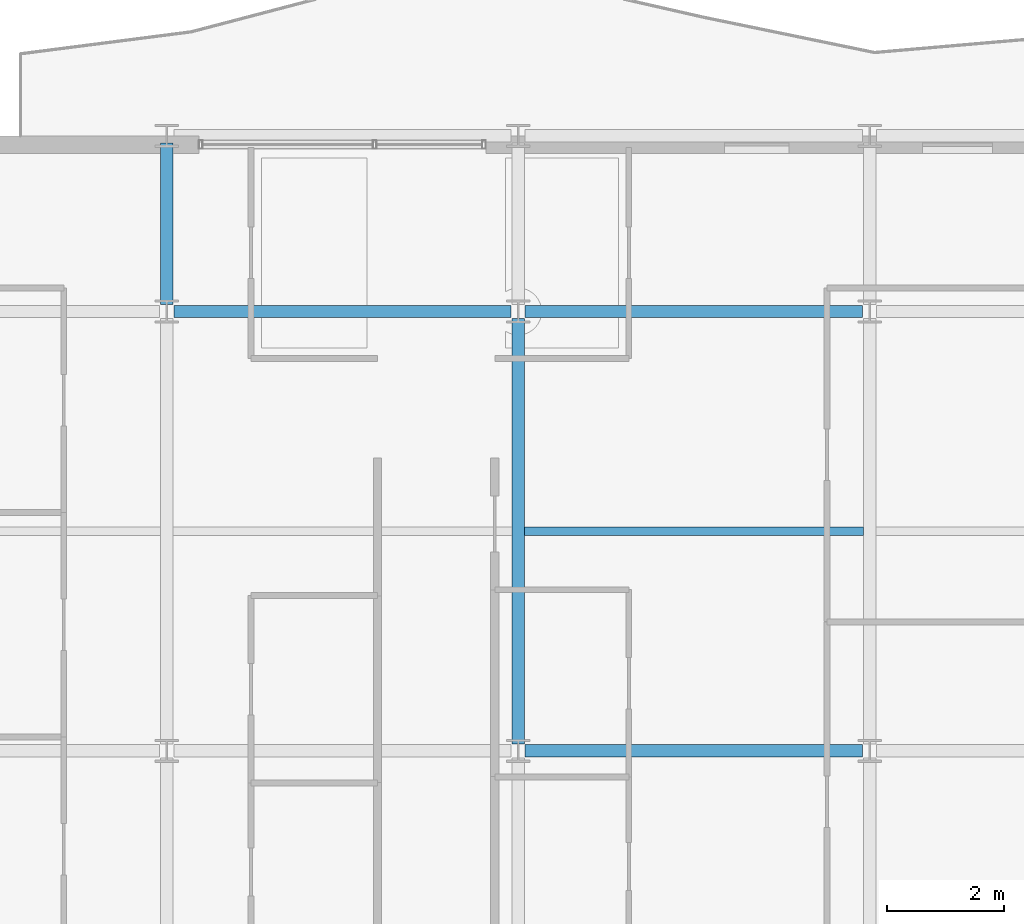
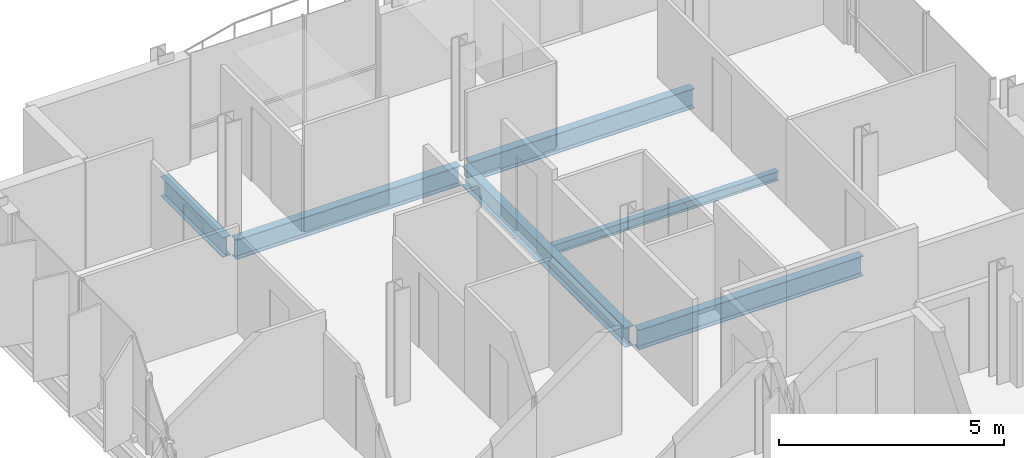
# One storey, part 6 of 28: 6 beams.
"""IFC4 building model written with IfcOpenShell, lengths in metres."""

from ifc_helpers import new_model, si_unit, direction, frame, origin, origin_2d, place, context, subcontext, project, spatial, i_section, extrude, material, material_profile, profile_set, type_object, element, save


model = new_model("IFC4")

# Units and contexts
model_context = context("Model", 3, precision=1e-05, world=origin(), true_north=direction((0.0, 1.0)))
body_context = subcontext(model_context, "Body", "Model", "MODEL_VIEW")
ifc_project = project(units=[si_unit("LENGTHUNIT", "METRE"), si_unit("AREAUNIT", "SQUARE_METRE"), si_unit("VOLUMEUNIT", "CUBIC_METRE"), si_unit("PLANEANGLEUNIT", "RADIAN"), si_unit("MASSUNIT", "GRAM", prefix="KILO")], contexts=[model_context])

# Site, building, storey
site_placement = place(None, origin())
site = spatial("IfcSite", under=ifc_project, at=site_placement, CompositionType="ELEMENT")
building_placement = place(site_placement, origin())
building = spatial("IfcBuilding", under=site, at=building_placement, Name="Brevholm Reach", CompositionType="ELEMENT")
storey_placement = place(building_placement, frame((0.0, 0.0, 192.5)))
storey = spatial("IfcBuildingStorey", under=building, at=storey_placement, Name="L58", CompositionType="ELEMENT", Elevation=192.5)

# Beams
ifc_material_1 = material(Name="Structural Steel S355J2", Category="steel")
ifc_material_profile_1 = material_profile(ifc_material_1, i_section(OverallWidth=0.14599609375, OverallDepth=0.25146484375, WebThickness=0.006103515625, FlangeThickness=0.008544921875, FilletRadius=0.007568359375, at=origin_2d()), Name="UKB 254x146x31")
ifc_profile_set_1 = profile_set([ifc_material_profile_1], Name="Structural Steel S355J2")
beam_type_1 = type_object("IfcBeamType", Name="BM-B254", PredefinedType="BEAM", material=ifc_profile_set_1)
beam_1_placement = place(storey_placement, frame((12.10546875, 19.75, -0.335693359375), z_axis=(1.0, 0.0, 0.0), x_axis=(0.0, 1.0, 0.0)))
element("IfcBeam", 1, at=beam_1_placement, inside=storey, type_object=beam_type_1, Name="L58 Composite Secondary Floor Beam", PredefinedType="BEAM", context=body_context, shape_type="SweptSolid", body=[
    extrude(i_section(OverallWidth=0.14599609375, OverallDepth=0.25146484375, WebThickness=0.006103515625, FlangeThickness=0.008544921875, FilletRadius=0.007568359375, at=origin_2d()), origin(), (0.0, 0.0, 1.0), 5.7890625),
])
ifc_material_2 = material(Name="Structural Steel S355J2", Category="steel")
ifc_material_profile_2 = material_profile(ifc_material_2, i_section(OverallWidth=0.210693359375, OverallDepth=0.53955078125, WebThickness=0.01171875, FlangeThickness=0.018798828125, FilletRadius=0.0126953125, at=origin_2d()), Name="UKB 533x210x109")
ifc_profile_set_2 = profile_set([ifc_material_profile_2], Name="Structural Steel S355J2")
beam_type_2 = type_object("IfcBeamType", Name="BM-SP539", PredefinedType="SPANDREL", material=ifc_profile_set_2)
for number, where, z_axis, x_axis, name in (
    (2, (12.1201171875, 16.0, -0.479736328125), (1.0, 0.0, 0.0), (0.0, 1.0, 0.0), "L58 SP-01B Framing Beam"),
    (3, (6.1201171875, 23.5, -0.479736328125), (1.0, 0.0, 0.0), (0.0, 1.0, 0.0), "L58 SP-01B Framing Beam"),
    (4, (12.1201171875, 23.5, -0.479736328125), (1.0, 0.0, 0.0), (0.0, 1.0, 0.0), "L58 SP-01B Framing Beam"),
):
    element("IfcBeam", number, at=place(storey_placement, frame(where, z_axis=z_axis, x_axis=x_axis)), inside=storey, type_object=beam_type_2, Name=name, PredefinedType="SPANDREL", context=body_context, shape_type="SweptSolid", body=[
        extrude(i_section(OverallWidth=0.210693359375, OverallDepth=0.53955078125, WebThickness=0.01171875, FlangeThickness=0.018798828125, FilletRadius=0.0126953125, at=origin_2d()), origin(), (0.0, 0.0, 1.0), 5.759765625),
    ])
beam_2_placement = place(storey_placement, frame((6.0, 23.6201171875, -0.479736328125), z_axis=(0.0, 1.0, 0.0), x_axis=(-1.0, 0.0, 0.0)))
element("IfcBeam", 5, at=beam_2_placement, inside=storey, type_object=beam_type_2, Name="L58 SP-01B Framing Beam", PredefinedType="SPANDREL", context=body_context, shape_type="SweptSolid", body=[
    extrude(i_section(OverallWidth=0.210693359375, OverallDepth=0.53955078125, WebThickness=0.01171875, FlangeThickness=0.018798828125, FilletRadius=0.0126953125, at=origin_2d()), origin(), (0.0, 0.0, 1.0), 2.759765625),
])
beam_3_placement = place(storey_placement, frame((12.0, 16.1201171875, -0.479736328125), z_axis=(0.0, 1.0, 0.0), x_axis=(-1.0, 0.0, 0.0)))
element("IfcBeam", 6, at=beam_3_placement, inside=storey, type_object=beam_type_2, Name="L58 SP-01B Framing Beam", PredefinedType="SPANDREL", context=body_context, shape_type="SweptSolid", body=[
    extrude(i_section(OverallWidth=0.210693359375, OverallDepth=0.53955078125, WebThickness=0.01171875, FlangeThickness=0.018798828125, FilletRadius=0.0126953125, at=origin_2d()), origin(), (0.0, 0.0, 1.0), 7.259765625),
])

save(model, "model.ifc")
